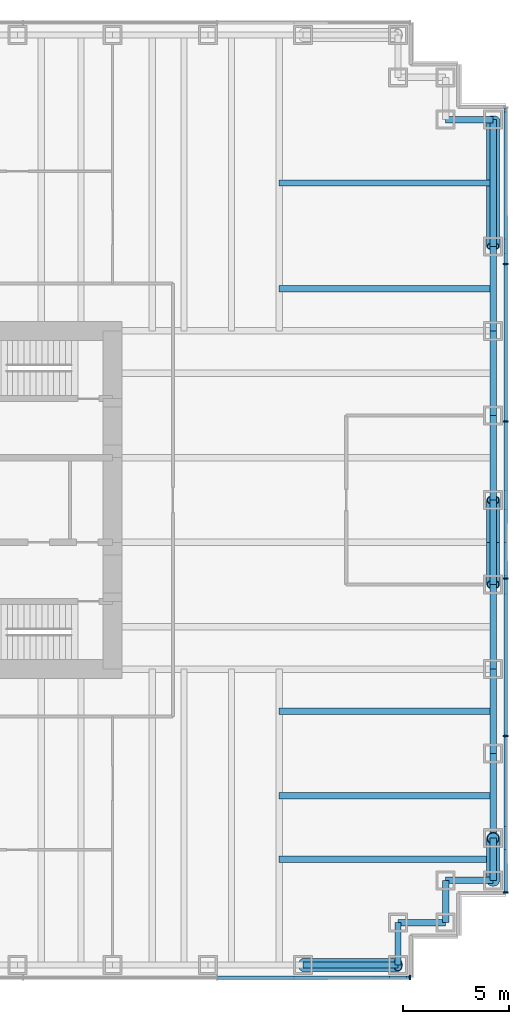
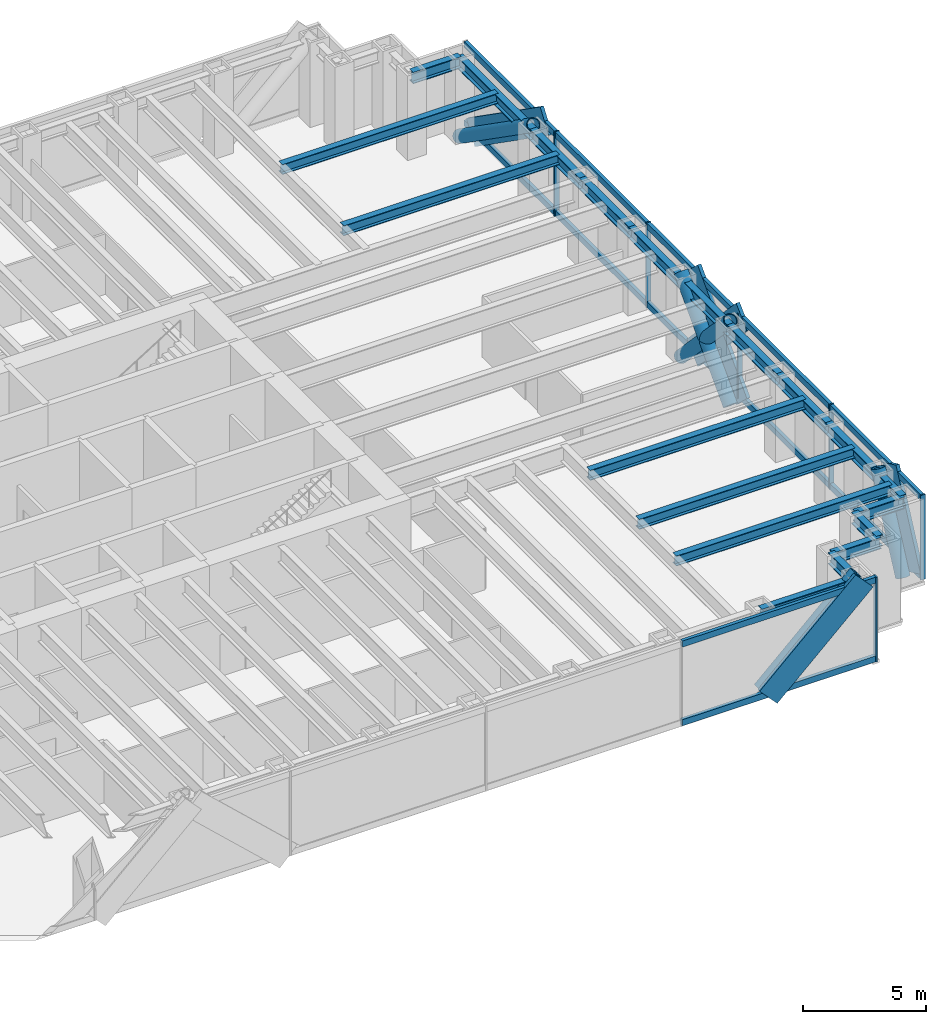
# One storey, part 8 of 17: 28 members, 20 beams, 2 elements without a shape of their own.
"""IFC4 building model written with IfcOpenShell, lengths in metres."""

from ifc_helpers import new_model, si_unit, direction, frame, origin, origin_2d, place, context, subcontext, project, spatial, rectangle, hollow_circle, i_section, extrude, material, material_profile, profile_set, type_object, element, aggregate, save


model = new_model("IFC4")

# Units and contexts
model_context = context("Model", 3, precision=1e-05, world=origin(), true_north=direction((0.0, 1.0)))
body_context = subcontext(model_context, "Body", "Model", "MODEL_VIEW")
ifc_project = project(units=[si_unit("LENGTHUNIT", "METRE"), si_unit("AREAUNIT", "SQUARE_METRE"), si_unit("VOLUMEUNIT", "CUBIC_METRE"), si_unit("PLANEANGLEUNIT", "RADIAN"), si_unit("MASSUNIT", "GRAM", prefix="KILO")], contexts=[model_context])

# Site, building, storey
site_placement = place(None, origin())
site = spatial("IfcSite", under=ifc_project, at=site_placement, CompositionType="ELEMENT")
building_placement = place(site_placement, origin())
building = spatial("IfcBuilding", under=site, at=building_placement, Name="Rheinbord Bourse Tower", CompositionType="ELEMENT")
storey_placement = place(building_placement, frame((0.0, 0.0, 121.5)))
storey = spatial("IfcBuildingStorey", under=building, at=storey_placement, Name="L26", CompositionType="ELEMENT", Elevation=121.5)

# Curtain wall, member
ifc_material_1 = material(Name="Dark glass and black aluminium", Category="aluminium")
curtain_wall_type = type_object("IfcCurtainWallType", Name="CW2 DARK GLASS CURTAIN WALL", PredefinedType="USERDEFINED", material=ifc_material_1)
curtain_wall_1_placement = place(storey_placement, origin())
curtain_wall_1 = element("IfcCurtainWall", 1, at=curtain_wall_1_placement, inside=storey, type_object=curtain_wall_type, Name="Curtain wall CW2 S L26", ObjectType="UNITISED CURTAIN WALL", PredefinedType="USERDEFINED")
ifc_material_2 = material(Name="Black anodised aluminium", Category="aluminium")
ifc_material_profile_1 = material_profile(ifc_material_2, rectangle(XDim=0.159912109375, YDim=1.2099609375, at=origin_2d()), Name="CW2 DIAGONAL MULLION 1210x160")
ifc_profile_set_1 = profile_set([ifc_material_profile_1], Name="Black anodised aluminium")
member_type_1 = type_object("IfcMemberType", Name="CW2 BLACK DIAGONAL MULLION", PredefinedType="USERDEFINED", material=ifc_profile_set_1)
member_1_placement = place(storey_placement, frame((63.0, 1.39990234375, 0.0), z_axis=(0.73105922506, 0.0, 0.682314010889), x_axis=(0.0, 1.0, 0.0)))
member_1 = element("IfcMember", 2, at=member_1_placement, type_object=member_type_1, Name="CW2 diagonal mullion b", ObjectType="DIAGONAL MULLION", PredefinedType="USERDEFINED", context=body_context, shape_type="SweptSolid", body=[
    extrude(rectangle(XDim=0.159912109375, YDim=1.2099609375, at=origin_2d()), origin(), (0.0, 0.0, 1.0), 6.155517578125),
])

# Curtain wall, members
curtain_wall_2_placement = place(storey_placement, origin())
curtain_wall_2 = element("IfcCurtainWall", 3, at=curtain_wall_2_placement, inside=storey, type_object=curtain_wall_type, Name="Curtain wall CW2 E L26", ObjectType="UNITISED CURTAIN WALL", PredefinedType="USERDEFINED")
member_2_placement = place(storey_placement, frame((72.60009765625, 42.0, 0.0), z_axis=(0.0, -0.819235052632, 0.57345786989), x_axis=(1.0, 0.0, 0.0)))
member_2 = element("IfcMember", 4, at=member_2_placement, type_object=member_type_1, Name="CW2 diagonal mullion a", ObjectType="DIAGONAL MULLION", PredefinedType="USERDEFINED", context=body_context, shape_type="SweptSolid", body=[
    extrude(rectangle(XDim=0.159912109375, YDim=1.2099609375, at=origin_2d()), origin(), (0.0, 0.0, 1.0), 7.323974609375),
])
member_3_placement = place(storey_placement, frame((72.60009765625, 6.0, 0.0), z_axis=(0.0, 0.429937654825, 0.902858578607), x_axis=(-1.0, 0.0, 0.0)))
member_3 = element("IfcMember", 5, at=member_3_placement, type_object=member_type_1, Name="CW2 diagonal mullion b", ObjectType="DIAGONAL MULLION", PredefinedType="USERDEFINED", context=body_context, shape_type="SweptSolid", body=[
    extrude(rectangle(XDim=0.159912109375, YDim=1.2099609375, at=origin_2d()), origin(), (0.0, 0.0, 1.0), 4.65185546875),
])
member_4_placement = place(storey_placement, frame((72.60009765625, 24.0, 0.0), z_axis=(0.0, -0.689659376744, 0.724133926887), x_axis=(1.0, 0.0, 0.0)))
member_4 = element("IfcMember", 6, at=member_4_placement, type_object=member_type_1, Name="CW2 diagonal mullion c", ObjectType="DIAGONAL MULLION", PredefinedType="USERDEFINED", context=body_context, shape_type="SweptSolid", body=[
    extrude(rectangle(XDim=0.159912109375, YDim=1.2099609375, at=origin_2d()), origin(), (0.0, 0.0, 1.0), 5.800048828125),
])
member_5_placement = place(storey_placement, frame((72.60009765625, 20.0, 0.0), z_axis=(0.0, 0.689659376744, 0.724133926887), x_axis=(-1.0, 0.0, 0.0)))
member_5 = element("IfcMember", 7, at=member_5_placement, type_object=member_type_1, Name="CW2 diagonal mullion d", ObjectType="DIAGONAL MULLION", PredefinedType="USERDEFINED", context=body_context, shape_type="SweptSolid", body=[
    extrude(rectangle(XDim=0.159912109375, YDim=1.2099609375, at=origin_2d()), origin(), (0.0, 0.0, 1.0), 5.800048828125),
])

# Member
ifc_material_3 = material(Name="Black anodised aluminium", Category="aluminium")
ifc_material_profile_2 = material_profile(ifc_material_3, rectangle(XDim=0.219970703125, YDim=0.070068359375, at=origin_2d()), Name="CW2 MULLION 70x220")
ifc_profile_set_2 = profile_set([ifc_material_profile_2], Name="Black anodised aluminium")
member_type_2 = type_object("IfcMemberType", Name="CW2 BLACK MULLION", PredefinedType="MULLION", material=ifc_profile_set_2)
member_6_placement = place(storey_placement, frame((68.06494140625, 1.39990234375, 0.0), z_axis=(0.0, 0.0, 1.0), x_axis=(0.0, 1.0, 0.0)))
member_6 = element("IfcMember", 8, at=member_6_placement, type_object=member_type_2, Name="CW2 mullion 8", PredefinedType="MULLION", context=body_context, shape_type="SweptSolid", body=[
    extrude(rectangle(XDim=0.219970703125, YDim=0.070068359375, at=origin_2d()), origin(), (0.0, 0.0, 1.0), 4.199951171875),
])

member_7_placement = place(storey_placement, frame((72.60009765625, 5.43505859375, 0.0), z_axis=(0.0, 0.0, 1.0), x_axis=(-1.0, 0.0, 0.0)))
member_7 = element("IfcMember", 9, at=member_7_placement, type_object=member_type_2, Name="CW2 mullion 1", PredefinedType="MULLION", context=body_context, shape_type="SweptSolid", body=[
    extrude(rectangle(XDim=0.219970703125, YDim=0.070068359375, at=origin_2d()), origin(), (0.0, 0.0, 1.0), 4.199951171875),
])

member_8_placement = place(storey_placement, frame((72.60009765625, 12.840087890625, 0.0), z_axis=(0.0, 0.0, 1.0), x_axis=(-1.0, 0.0, 0.0)))
member_8 = element("IfcMember", 10, at=member_8_placement, type_object=member_type_2, Name="CW2 mullion 2", PredefinedType="MULLION", context=body_context, shape_type="SweptSolid", body=[
    extrude(rectangle(XDim=0.219970703125, YDim=0.070068359375, at=origin_2d()), origin(), (0.0, 0.0, 1.0), 4.199951171875),
])

member_9_placement = place(storey_placement, frame((72.60009765625, 20.280029296875, 0.0), z_axis=(0.0, 0.0, 1.0), x_axis=(-1.0, 0.0, 0.0)))
member_9 = element("IfcMember", 11, at=member_9_placement, type_object=member_type_2, Name="CW2 mullion 3", PredefinedType="MULLION", context=body_context, shape_type="SweptSolid", body=[
    extrude(rectangle(XDim=0.219970703125, YDim=0.070068359375, at=origin_2d()), origin(), (0.0, 0.0, 1.0), 4.199951171875),
])

member_10_placement = place(storey_placement, frame((72.60009765625, 27.719970703125, 0.0), z_axis=(0.0, 0.0, 1.0), x_axis=(-1.0, 0.0, 0.0)))
member_10 = element("IfcMember", 12, at=member_10_placement, type_object=member_type_2, Name="CW2 mullion 4", PredefinedType="MULLION", context=body_context, shape_type="SweptSolid", body=[
    extrude(rectangle(XDim=0.219970703125, YDim=0.070068359375, at=origin_2d()), origin(), (0.0, 0.0, 1.0), 4.199951171875),
])

member_11_placement = place(storey_placement, frame((72.60009765625, 35.159912109375, 0.0), z_axis=(0.0, 0.0, 1.0), x_axis=(-1.0, 0.0, 0.0)))
member_11 = element("IfcMember", 13, at=member_11_placement, type_object=member_type_2, Name="CW2 mullion 5", PredefinedType="MULLION", context=body_context, shape_type="SweptSolid", body=[
    extrude(rectangle(XDim=0.219970703125, YDim=0.070068359375, at=origin_2d()), origin(), (0.0, 0.0, 1.0), 4.199951171875),
])

ifc_material_4 = material(Name="Black anodised aluminium", Category="aluminium")
ifc_material_profile_3 = material_profile(ifc_material_4, rectangle(XDim=0.159912109375, YDim=0.300048828125, at=origin_2d()), Name="CW2 TRANSOM 300x160")
ifc_profile_set_3 = profile_set([ifc_material_profile_3], Name="Black anodised aluminium")
member_type_3 = type_object("IfcMemberType", Name="CW2 BLACK TRANSOM", PredefinedType="USERDEFINED", material=ifc_profile_set_3)
member_12_placement = place(storey_placement, frame((58.963623046875, 1.39990234375, 0.14990234375), z_axis=(1.0, 0.0, 0.0), x_axis=(0.0, 1.0, 0.0)))
member_12 = element("IfcMember", 14, at=member_12_placement, type_object=member_type_3, Name="CW2 transom 7.1", ObjectType="TRANSOM", PredefinedType="USERDEFINED", context=body_context, shape_type="SweptSolid", body=[
    extrude(rectangle(XDim=0.159912109375, YDim=0.300048828125, at=origin_2d()), origin(), (0.0, 0.0, 1.0), 9.06640625),
])

member_13_placement = place(storey_placement, frame((58.963623046875, 1.39990234375, 4.050048828125), z_axis=(1.0, 0.0, 0.0), x_axis=(0.0, 1.0, 0.0)))
member_13 = element("IfcMember", 15, at=member_13_placement, type_object=member_type_3, Name="CW2 transom 7.2", ObjectType="TRANSOM", PredefinedType="USERDEFINED", context=body_context, shape_type="SweptSolid", body=[
    extrude(rectangle(XDim=0.159912109375, YDim=0.300048828125, at=origin_2d()), origin(), (0.0, 0.0, 1.0), 9.06640625),
])

aggregate(curtain_wall_1, [member_6, member_12, member_13, member_1])

member_14_placement = place(storey_placement, frame((72.60009765625, 5.469970703125, 0.14990234375), z_axis=(0.0, 1.0, 0.0), x_axis=(-1.0, 0.0, 0.0)))
member_14 = element("IfcMember", 16, at=member_14_placement, type_object=member_type_3, Name="CW2 transom 1.1", ObjectType="TRANSOM", PredefinedType="USERDEFINED", context=body_context, shape_type="SweptSolid", body=[
    extrude(rectangle(XDim=0.159912109375, YDim=0.300048828125, at=origin_2d()), origin(), (0.0, 0.0, 1.0), 7.3349609375),
])

member_15_placement = place(storey_placement, frame((72.60009765625, 5.469970703125, 4.050048828125), z_axis=(0.0, 1.0, 0.0), x_axis=(-1.0, 0.0, 0.0)))
member_15 = element("IfcMember", 17, at=member_15_placement, type_object=member_type_3, Name="CW2 transom 1.2", ObjectType="TRANSOM", PredefinedType="USERDEFINED", context=body_context, shape_type="SweptSolid", body=[
    extrude(rectangle(XDim=0.159912109375, YDim=0.300048828125, at=origin_2d()), origin(), (0.0, 0.0, 1.0), 7.3349609375),
])

member_16_placement = place(storey_placement, frame((72.60009765625, 12.875, 0.14990234375), z_axis=(0.0, 1.0, 0.0), x_axis=(-1.0, 0.0, 0.0)))
member_16 = element("IfcMember", 18, at=member_16_placement, type_object=member_type_3, Name="CW2 transom 2.1", ObjectType="TRANSOM", PredefinedType="USERDEFINED", context=body_context, shape_type="SweptSolid", body=[
    extrude(rectangle(XDim=0.159912109375, YDim=0.300048828125, at=origin_2d()), origin(), (0.0, 0.0, 1.0), 7.3701171875),
])

member_17_placement = place(storey_placement, frame((72.60009765625, 12.875, 4.050048828125), z_axis=(0.0, 1.0, 0.0), x_axis=(-1.0, 0.0, 0.0)))
member_17 = element("IfcMember", 19, at=member_17_placement, type_object=member_type_3, Name="CW2 transom 2.2", ObjectType="TRANSOM", PredefinedType="USERDEFINED", context=body_context, shape_type="SweptSolid", body=[
    extrude(rectangle(XDim=0.159912109375, YDim=0.300048828125, at=origin_2d()), origin(), (0.0, 0.0, 1.0), 7.3701171875),
])

member_18_placement = place(storey_placement, frame((72.60009765625, 20.31494140625, 0.14990234375), z_axis=(0.0, 1.0, 0.0), x_axis=(-1.0, 0.0, 0.0)))
member_18 = element("IfcMember", 20, at=member_18_placement, type_object=member_type_3, Name="CW2 transom 3.1", ObjectType="TRANSOM", PredefinedType="USERDEFINED", context=body_context, shape_type="SweptSolid", body=[
    extrude(rectangle(XDim=0.159912109375, YDim=0.300048828125, at=origin_2d()), origin(), (0.0, 0.0, 1.0), 7.3701171875),
])

member_19_placement = place(storey_placement, frame((72.60009765625, 20.31494140625, 4.050048828125), z_axis=(0.0, 1.0, 0.0), x_axis=(-1.0, 0.0, 0.0)))
member_19 = element("IfcMember", 21, at=member_19_placement, type_object=member_type_3, Name="CW2 transom 3.2", ObjectType="TRANSOM", PredefinedType="USERDEFINED", context=body_context, shape_type="SweptSolid", body=[
    extrude(rectangle(XDim=0.159912109375, YDim=0.300048828125, at=origin_2d()), origin(), (0.0, 0.0, 1.0), 7.3701171875),
])

member_20_placement = place(storey_placement, frame((72.60009765625, 27.7548828125, 0.14990234375), z_axis=(0.0, 1.0, 0.0), x_axis=(-1.0, 0.0, 0.0)))
member_20 = element("IfcMember", 22, at=member_20_placement, type_object=member_type_3, Name="CW2 transom 4.1", ObjectType="TRANSOM", PredefinedType="USERDEFINED", context=body_context, shape_type="SweptSolid", body=[
    extrude(rectangle(XDim=0.159912109375, YDim=0.300048828125, at=origin_2d()), origin(), (0.0, 0.0, 1.0), 7.3701171875),
])

member_21_placement = place(storey_placement, frame((72.60009765625, 27.7548828125, 4.050048828125), z_axis=(0.0, 1.0, 0.0), x_axis=(-1.0, 0.0, 0.0)))
member_21 = element("IfcMember", 23, at=member_21_placement, type_object=member_type_3, Name="CW2 transom 4.2", ObjectType="TRANSOM", PredefinedType="USERDEFINED", context=body_context, shape_type="SweptSolid", body=[
    extrude(rectangle(XDim=0.159912109375, YDim=0.300048828125, at=origin_2d()), origin(), (0.0, 0.0, 1.0), 7.3701171875),
])

member_22_placement = place(storey_placement, frame((72.60009765625, 35.195068359375, 0.14990234375), z_axis=(0.0, 1.0, 0.0), x_axis=(-1.0, 0.0, 0.0)))
member_22 = element("IfcMember", 24, at=member_22_placement, type_object=member_type_3, Name="CW2 transom 5.1", ObjectType="TRANSOM", PredefinedType="USERDEFINED", context=body_context, shape_type="SweptSolid", body=[
    extrude(rectangle(XDim=0.159912109375, YDim=0.300048828125, at=origin_2d()), origin(), (0.0, 0.0, 1.0), 7.3349609375),
])

member_23_placement = place(storey_placement, frame((72.60009765625, 35.195068359375, 4.050048828125), z_axis=(0.0, 1.0, 0.0), x_axis=(-1.0, 0.0, 0.0)))
member_23 = element("IfcMember", 25, at=member_23_placement, type_object=member_type_3, Name="CW2 transom 5.2", ObjectType="TRANSOM", PredefinedType="USERDEFINED", context=body_context, shape_type="SweptSolid", body=[
    extrude(rectangle(XDim=0.159912109375, YDim=0.300048828125, at=origin_2d()), origin(), (0.0, 0.0, 1.0), 7.3349609375),
])

aggregate(curtain_wall_2, [member_7, member_8, member_9, member_10, member_11, member_14, member_15, member_16, member_17, member_18, member_19, member_20, member_21, member_22, member_23, member_2, member_3, member_4, member_5])

# Members
ifc_material_5 = material(Name="Steel S460", Category="steel")
ifc_material_profile_4 = material_profile(ifc_material_5, hollow_circle(Radius=0.304931640625, WallThickness=0.0400390625, at=origin_2d()), Name="CHS 610x40")
ifc_profile_set_4 = profile_set([ifc_material_profile_4], Name="Steel S460")
member_type_4 = type_object("IfcMemberType", Name="MEGABRACE CHS 610x40", PredefinedType="BRACE", material=ifc_profile_set_4)
member_24_placement = place(storey_placement, frame((63.0, 2.0, 0.0), z_axis=(0.73105922506, 0.0, 0.682314010889), x_axis=(0.0, 1.0, 0.0)))
element("IfcMember", 26, at=member_24_placement, inside=storey, type_object=member_type_4, Name="Megabrace S face line b L26", PredefinedType="BRACE", context=body_context, shape_type="SweptSolid", body=[
    extrude(hollow_circle(Radius=0.304931640625, WallThickness=0.0400390625, at=origin_2d()), origin(), (0.0, 0.0, 1.0), 6.155517578125),
])
member_25_placement = place(storey_placement, frame((72.0, 42.0, 0.0), z_axis=(0.0, -0.819235052632, 0.57345786989), x_axis=(1.0, 0.0, 0.0)))
element("IfcMember", 27, at=member_25_placement, inside=storey, type_object=member_type_4, Name="Megabrace E face line a L26", PredefinedType="BRACE", context=body_context, shape_type="SweptSolid", body=[
    extrude(hollow_circle(Radius=0.304931640625, WallThickness=0.0400390625, at=origin_2d()), origin(), (0.0, 0.0, 1.0), 7.323974609375),
])
member_26_placement = place(storey_placement, frame((72.0, 6.0, 0.0), z_axis=(0.0, 0.429937654825, 0.902858578607), x_axis=(-1.0, 0.0, 0.0)))
element("IfcMember", 28, at=member_26_placement, inside=storey, type_object=member_type_4, Name="Megabrace E face line b L26", PredefinedType="BRACE", context=body_context, shape_type="SweptSolid", body=[
    extrude(hollow_circle(Radius=0.304931640625, WallThickness=0.0400390625, at=origin_2d()), origin(), (0.0, 0.0, 1.0), 4.65185546875),
])
for number, where, z_axis, x_axis, name in (
    (29, (72.0, 24.0, 0.0), (0.0, -0.689659376744, 0.724133926887), (1.0, 0.0, 0.0), "Megabrace E face line c L26"),
    (30, (72.0, 20.0, 0.0), (0.0, 0.689659376744, 0.724133926887), (-1.0, 0.0, 0.0), "Megabrace E face line d L26"),
):
    element("IfcMember", number, at=place(storey_placement, frame(where, z_axis=z_axis, x_axis=x_axis)), inside=storey, type_object=member_type_4, Name=name, PredefinedType="BRACE", context=body_context, shape_type="SweptSolid", body=[
        extrude(hollow_circle(Radius=0.304931640625, WallThickness=0.0400390625, at=origin_2d()), origin(), (0.0, 0.0, 1.0), 5.800048828125),
    ])

# Beams
ifc_material_6 = material(Name="Steel S460", Category="steel")
ifc_material_profile_5 = material_profile(ifc_material_6, i_section(OverallWidth=0.305908203125, OverallDepth=0.572021484375, WebThickness=0.02099609375, FlangeThickness=0.0400390625, at=origin_2d()), Name="HEM 550")
ifc_profile_set_5 = profile_set([ifc_material_profile_5], Name="Steel S460")
beam_type_1 = type_object("IfcBeamType", Name="SPANDREL HEM 550", PredefinedType="SPANDREL", material=ifc_profile_set_5)
beam_1_placement = place(storey_placement, frame((63.0, 2.0, 3.75390625), z_axis=(1.0, 0.0, 0.0), x_axis=(0.0, 1.0, 0.0)))
element("IfcBeam", 31, at=beam_1_placement, inside=storey, type_object=beam_type_1, Name="Spandrel S-63-SE-E under L27", PredefinedType="SPANDREL", context=body_context, shape_type="SweptSolid", body=[
    extrude(i_section(OverallWidth=0.305908203125, OverallDepth=0.572021484375, WebThickness=0.02099609375, FlangeThickness=0.0400390625, at=origin_2d()), origin(), (0.0, 0.0, 1.0), 4.5),
])
beam_2_placement = place(storey_placement, frame((67.5, 2.0, 3.75390625), z_axis=(0.0, 1.0, 0.0), x_axis=(-1.0, 0.0, 0.0)))
element("IfcBeam", 32, at=beam_2_placement, inside=storey, type_object=beam_type_1, Name="Spandrel SE-E-SE-D under L27", PredefinedType="SPANDREL", context=body_context, shape_type="SweptSolid", body=[
    extrude(i_section(OverallWidth=0.305908203125, OverallDepth=0.572021484375, WebThickness=0.02099609375, FlangeThickness=0.0400390625, at=origin_2d()), origin(), (0.0, 0.0, 1.0), 2.0),
])
beam_3_placement = place(storey_placement, frame((67.5, 4.0, 3.75390625), z_axis=(1.0, 0.0, 0.0), x_axis=(0.0, 1.0, 0.0)))
element("IfcBeam", 33, at=beam_3_placement, inside=storey, type_object=beam_type_1, Name="Spandrel SE-D-SE-C under L27", PredefinedType="SPANDREL", context=body_context, shape_type="SweptSolid", body=[
    extrude(i_section(OverallWidth=0.305908203125, OverallDepth=0.572021484375, WebThickness=0.02099609375, FlangeThickness=0.0400390625, at=origin_2d()), origin(), (0.0, 0.0, 1.0), 2.25),
])
beam_4_placement = place(storey_placement, frame((69.75, 4.0, 3.75390625), z_axis=(0.0, 1.0, 0.0), x_axis=(-1.0, 0.0, 0.0)))
element("IfcBeam", 34, at=beam_4_placement, inside=storey, type_object=beam_type_1, Name="Spandrel SE-C-SE-B under L27", PredefinedType="SPANDREL", context=body_context, shape_type="SweptSolid", body=[
    extrude(i_section(OverallWidth=0.305908203125, OverallDepth=0.572021484375, WebThickness=0.02099609375, FlangeThickness=0.0400390625, at=origin_2d()), origin(), (0.0, 0.0, 1.0), 2.0),
])
beam_5_placement = place(storey_placement, frame((69.75, 6.0, 3.75390625), z_axis=(1.0, 0.0, 0.0), x_axis=(0.0, 1.0, 0.0)))
element("IfcBeam", 35, at=beam_5_placement, inside=storey, type_object=beam_type_1, Name="Spandrel SE-B-SE-A under L27", PredefinedType="SPANDREL", context=body_context, shape_type="SweptSolid", body=[
    extrude(i_section(OverallWidth=0.305908203125, OverallDepth=0.572021484375, WebThickness=0.02099609375, FlangeThickness=0.0400390625, at=origin_2d()), origin(), (0.0, 0.0, 1.0), 2.25),
])
beam_6_placement = place(storey_placement, frame((72.0, 6.0, 3.75390625), z_axis=(0.0, 1.0, 0.0), x_axis=(-1.0, 0.0, 0.0)))
element("IfcBeam", 36, at=beam_6_placement, inside=storey, type_object=beam_type_1, Name="Spandrel SE-A-E-8 under L27", PredefinedType="SPANDREL", context=body_context, shape_type="SweptSolid", body=[
    extrude(i_section(OverallWidth=0.305908203125, OverallDepth=0.572021484375, WebThickness=0.02099609375, FlangeThickness=0.0400390625, at=origin_2d()), origin(), (0.0, 0.0, 1.0), 2.0),
])
for number, where, z_axis, x_axis, name in (
    (37, (72.0, 8.0, 3.75390625), (0.0, 1.0, 0.0), (-1.0, 0.0, 0.0), "Spandrel E-8-E-12 under L27"),
    (38, (72.0, 12.0, 3.75390625), (0.0, 1.0, 0.0), (-1.0, 0.0, 0.0), "Spandrel E-12-E-16 under L27"),
    (39, (72.0, 16.0, 3.75390625), (0.0, 1.0, 0.0), (-1.0, 0.0, 0.0), "Spandrel E-16-E-20 under L27"),
    (40, (72.0, 20.0, 3.75390625), (0.0, 1.0, 0.0), (-1.0, 0.0, 0.0), "Spandrel E-20-E-24 under L27"),
    (41, (72.0, 24.0, 3.75390625), (0.0, 1.0, 0.0), (-1.0, 0.0, 0.0), "Spandrel E-24-E-28 under L27"),
    (42, (72.0, 28.0, 3.75390625), (0.0, 1.0, 0.0), (-1.0, 0.0, 0.0), "Spandrel E-28-E-32 under L27"),
    (43, (72.0, 32.0, 3.75390625), (0.0, 1.0, 0.0), (-1.0, 0.0, 0.0), "Spandrel E-32-E-36 under L27"),
):
    element("IfcBeam", number, at=place(storey_placement, frame(where, z_axis=z_axis, x_axis=x_axis)), inside=storey, type_object=beam_type_1, Name=name, PredefinedType="SPANDREL", context=body_context, shape_type="SweptSolid", body=[
        extrude(i_section(OverallWidth=0.305908203125, OverallDepth=0.572021484375, WebThickness=0.02099609375, FlangeThickness=0.0400390625, at=origin_2d()), origin(), (0.0, 0.0, 1.0), 4.0),
    ])
beam_7_placement = place(storey_placement, frame((72.0, 36.0, 3.75390625), z_axis=(0.0, 1.0, 0.0), x_axis=(-1.0, 0.0, 0.0)))
element("IfcBeam", 44, at=beam_7_placement, inside=storey, type_object=beam_type_1, Name="Spandrel E-36-NE-A under L27", PredefinedType="SPANDREL", context=body_context, shape_type="SweptSolid", body=[
    extrude(i_section(OverallWidth=0.305908203125, OverallDepth=0.572021484375, WebThickness=0.02099609375, FlangeThickness=0.0400390625, at=origin_2d()), origin(), (0.0, 0.0, 1.0), 6.0),
])
beam_8_placement = place(storey_placement, frame((72.0, 42.0, 3.75390625), z_axis=(-1.0, 0.0, 0.0), x_axis=(0.0, -1.0, 0.0)))
element("IfcBeam", 45, at=beam_8_placement, inside=storey, type_object=beam_type_1, Name="Spandrel NE-A-NE-B under L27", PredefinedType="SPANDREL", context=body_context, shape_type="SweptSolid", body=[
    extrude(i_section(OverallWidth=0.305908203125, OverallDepth=0.572021484375, WebThickness=0.02099609375, FlangeThickness=0.0400390625, at=origin_2d()), origin(), (0.0, 0.0, 1.0), 2.25),
])
ifc_material_7 = material(Name="Steel S460", Category="steel")
ifc_material_profile_6 = material_profile(ifc_material_7, i_section(OverallWidth=0.300048828125, OverallDepth=0.5, WebThickness=0.014404296875, FlangeThickness=0.028076171875, at=origin_2d()), Name="HEB 500")
ifc_profile_set_6 = profile_set([ifc_material_profile_6], Name="Steel S460")
beam_type_2 = type_object("IfcBeamType", Name="TIE BEAM HEB 500", PredefinedType="JOIST", material=ifc_profile_set_6)
for number, where, z_axis, x_axis, name in (
    (46, (61.875, 7.0, 3.7900390625), (1.0, 0.0, 0.0), (0.0, 1.0, 0.0), "Tie east 7 L27"),
    (47, (61.875, 10.0, 3.7900390625), (1.0, 0.0, 0.0), (0.0, 1.0, 0.0), "Tie east 10 L27"),
    (48, (61.875, 14.0, 3.7900390625), (1.0, 0.0, 0.0), (0.0, 1.0, 0.0), "Tie east 14 L27"),
    (49, (61.875, 34.0, 3.7900390625), (1.0, 0.0, 0.0), (0.0, 1.0, 0.0), "Tie east 34 L27"),
    (50, (61.875, 39.0, 3.7900390625), (1.0, 0.0, 0.0), (0.0, 1.0, 0.0), "Tie east 39 L27"),
):
    element("IfcBeam", number, at=place(storey_placement, frame(where, z_axis=z_axis, x_axis=x_axis)), inside=storey, type_object=beam_type_2, Name=name, PredefinedType="JOIST", context=body_context, shape_type="SweptSolid", body=[
        extrude(i_section(OverallWidth=0.300048828125, OverallDepth=0.5, WebThickness=0.014404296875, FlangeThickness=0.028076171875, at=origin_2d()), origin(), (0.0, 0.0, 1.0), 10.125),
    ])

save(model, "model.ifc")
